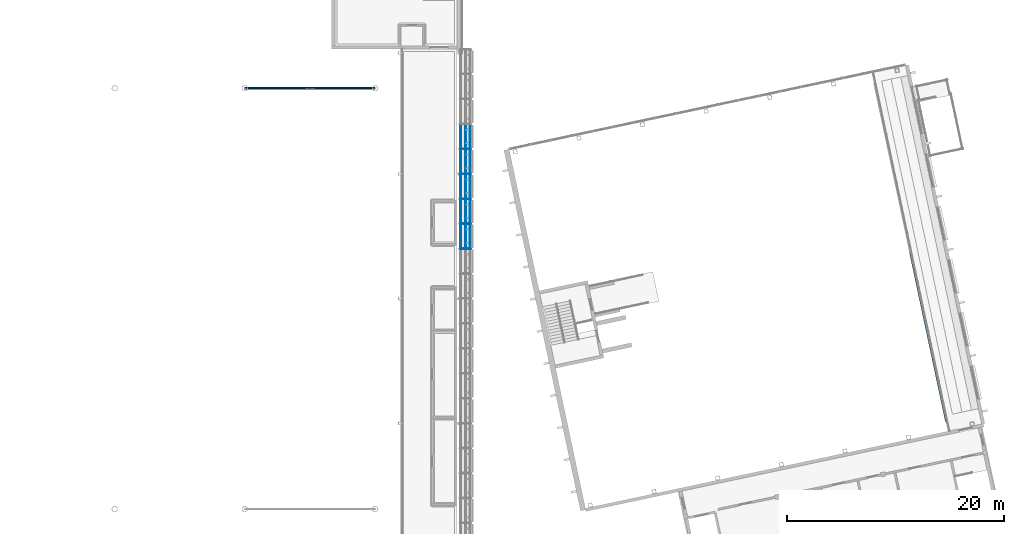
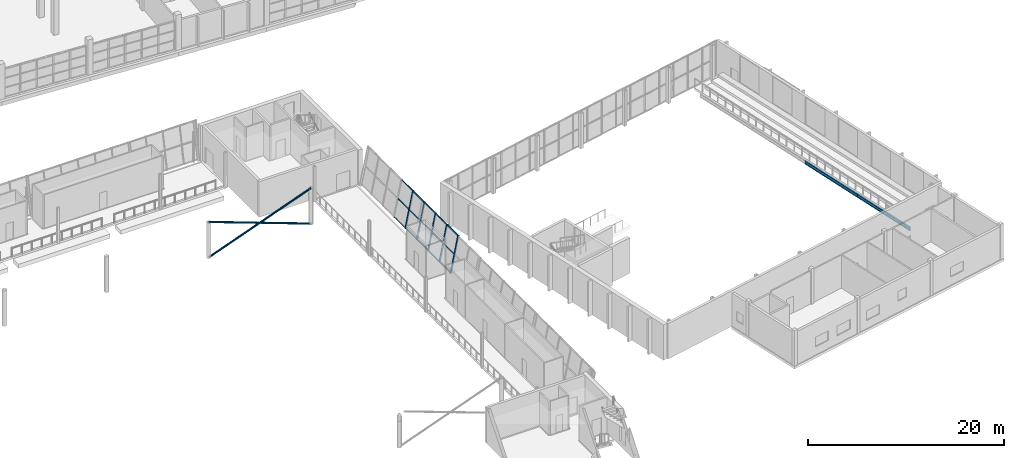
# One storey, part 40 of 115: 23 members, 2 beams, 1 element without a shape of its own.
"""IFC4 building model written with IfcOpenShell, lengths in metres."""

from ifc_helpers import new_model, si_unit, direction, frame, origin, origin_2d, place, context, subcontext, project, spatial, rectangle, hollow_circle, i_section, extrude, material, layer, layer_set, material_profile, profile_set, type_object, element, aggregate, save


model = new_model("IFC4")

# Units and contexts
model_context = context("Model", 3, precision=1e-05, world=origin(), true_north=direction((0.0, 1.0)))
body_context = subcontext(model_context, "Body", "Model", "MODEL_VIEW")
ifc_project = project(units=[si_unit("LENGTHUNIT", "METRE"), si_unit("AREAUNIT", "SQUARE_METRE"), si_unit("VOLUMEUNIT", "CUBIC_METRE"), si_unit("PLANEANGLEUNIT", "RADIAN"), si_unit("MASSUNIT", "GRAM", prefix="KILO")], contexts=[model_context])

# Site, building, storey
site_placement = place(None, origin())
site = spatial("IfcSite", under=ifc_project, at=site_placement, CompositionType="ELEMENT")
building_placement = place(site_placement, origin())
building = spatial("IfcBuilding", under=site, at=building_placement, Name="Windward Yard Aquatics Centre", CompositionType="ELEMENT")
storey_placement = place(building_placement, frame((0.0, 0.0, 5.0)))
storey = spatial("IfcBuildingStorey", under=building, at=storey_placement, Name="L01", CompositionType="ELEMENT", Elevation=5.0)

# Beams
ifc_material_1 = material(Name="Steel ASTM A992 Gr 50", Category="steel")
ifc_material_profile_1 = material_profile(ifc_material_1, i_section(OverallWidth=0.177978515625, OverallDepth=0.406005859375, WebThickness=0.0078125, FlangeThickness=0.0126953125, at=origin_2d()), Name="W410X60")
ifc_profile_set_1 = profile_set([ifc_material_profile_1], Name="Steel ASTM A992 Gr 50")
beam_type = type_object("IfcBeamType", Name="D beam W410X60", PredefinedType="BEAM", material=ifc_profile_set_1)
beam_1_placement = place(storey_placement, frame((196.68359375, 49.614013671875, -0.452880859375), z_axis=(-0.207921900063, 0.978145430636, 0.0), x_axis=(-0.978145430636, -0.207921900063, 0.0)))
element("IfcBeam", 1, at=beam_1_placement, inside=storey, type_object=beam_type, Name="D.B.G1", PredefinedType="BEAM", context=body_context, shape_type="SweptSolid", body=[
    extrude(i_section(OverallWidth=0.177978515625, OverallDepth=0.406005859375, WebThickness=0.0078125, FlangeThickness=0.0126953125, at=origin_2d()), origin(), (0.0, 0.0, 1.0), 7.999755859375),
])
beam_2_placement = place(storey_placement, frame((195.020263671875, 57.43896484375, -0.452880859375), z_axis=(-0.207915693476, 0.978146749934, 0.0), x_axis=(-0.978146749934, -0.207915693476, 0.0)))
element("IfcBeam", 2, at=beam_2_placement, inside=storey, type_object=beam_type, Name="D.B.G2", PredefinedType="BEAM", context=body_context, shape_type="SweptSolid", body=[
    extrude(i_section(OverallWidth=0.177978515625, OverallDepth=0.406005859375, WebThickness=0.0078125, FlangeThickness=0.0126953125, at=origin_2d()), origin(), (0.0, 0.0, 1.0), 8.0),
])

# Curtain wall, members
ifc_material_2 = material(Name="Glass and aluminium curtain wall", Category="aluminium")
ifc_layer = layer(ifc_material_2, 0.179931640625)
ifc_layer_set = layer_set([ifc_layer], Name="H curtain wall tier 1 double glazed 8+16+8")
curtain_wall_type = type_object("IfcCurtainWallType", Name="H curtain wall tier 1 double glazed 8+16+8", PredefinedType="NOTDEFINED", material=ifc_layer_set)
curtain_wall_placement = place(storey_placement, origin())
curtain_wall = element("IfcCurtainWall", 3, at=curtain_wall_placement, inside=storey, type_object=curtain_wall_type, Name="Tier 1 glazing E L01", PredefinedType="NOTDEFINED")
ifc_material_3 = material(Name="Aluminium 6063-T6 anodised", Category="aluminium")
ifc_material_profile_2 = material_profile(ifc_material_3, rectangle(XDim=0.06494140625, YDim=0.179931640625, at=origin_2d()), Name="H CW mullion 65x180")
ifc_profile_set_2 = profile_set([ifc_material_profile_2], Name="Aluminium 6063-T6 anodised")
member_type_1 = type_object("IfcMemberType", Name="H CW mullion 65x180", PredefinedType="MULLION", material=ifc_profile_set_2)
member_1_placement = place(storey_placement, frame((151.911865234375, 65.60009765625, 0.017822265625), z_axis=(0.199380237329, 0.0, 0.979922201485), x_axis=(0.0, 1.0, 0.0)))
member_1 = element("IfcMember", 4, at=member_1_placement, type_object=member_type_1, Name="G1EA mullion 13", PredefinedType="MULLION", context=body_context, shape_type="SweptSolid", body=[
    extrude(rectangle(XDim=0.06494140625, YDim=0.179931640625, at=origin_2d()), origin(), (0.0, 0.0, 1.0), 4.471923828125),
])
member_2_placement = place(storey_placement, frame((151.911865234375, 67.89990234375, 0.017822265625), z_axis=(0.199380237329, 0.0, 0.979922201485), x_axis=(0.0, 1.0, 0.0)))
member_2 = element("IfcMember", 5, at=member_2_placement, type_object=member_type_1, Name="G1EA mullion 14", PredefinedType="MULLION", context=body_context, shape_type="SweptSolid", body=[
    extrude(rectangle(XDim=0.06494140625, YDim=0.179931640625, at=origin_2d()), origin(), (0.0, 0.0, 1.0), 4.471923828125),
])
member_3_placement = place(storey_placement, frame((151.911865234375, 70.199951171875, 0.017822265625), z_axis=(0.199380237329, 0.0, 0.979922201485), x_axis=(0.0, 1.0, 0.0)))
member_3 = element("IfcMember", 6, at=member_3_placement, type_object=member_type_1, Name="G1EA mullion 15", PredefinedType="MULLION", context=body_context, shape_type="SweptSolid", body=[
    extrude(rectangle(XDim=0.06494140625, YDim=0.179931640625, at=origin_2d()), origin(), (0.0, 0.0, 1.0), 4.471923828125),
])
member_4_placement = place(storey_placement, frame((151.911865234375, 72.5, 0.017822265625), z_axis=(0.199380237329, 0.0, 0.979922201485), x_axis=(0.0, 1.0, 0.0)))
member_4 = element("IfcMember", 7, at=member_4_placement, type_object=member_type_1, Name="G1EA mullion 16", PredefinedType="MULLION", context=body_context, shape_type="SweptSolid", body=[
    extrude(rectangle(XDim=0.06494140625, YDim=0.179931640625, at=origin_2d()), origin(), (0.0, 0.0, 1.0), 4.471923828125),
])
member_5_placement = place(storey_placement, frame((151.911865234375, 74.800048828125, 0.017822265625), z_axis=(0.199380237329, 0.0, 0.979922201485), x_axis=(0.0, 1.0, 0.0)))
member_5 = element("IfcMember", 8, at=member_5_placement, type_object=member_type_1, Name="G1EA mullion 17", PredefinedType="MULLION", context=body_context, shape_type="SweptSolid", body=[
    extrude(rectangle(XDim=0.06494140625, YDim=0.179931640625, at=origin_2d()), origin(), (0.0, 0.0, 1.0), 4.471923828125),
])
ifc_material_profile_3 = material_profile(ifc_material_3, rectangle(XDim=0.06494140625, YDim=0.10009765625, at=origin_2d()), Name="H CW transom 65x100")
ifc_profile_set_3 = profile_set([ifc_material_profile_3], Name="Aluminium 6063-T6 anodised")
member_type_2 = type_object("IfcMemberType", Name="H CW transom 65x100", PredefinedType="USERDEFINED", material=ifc_profile_set_3)
member_6_placement = place(storey_placement, frame((151.91943359375, 65.632568359375, 0.055419921875), z_axis=(0.0, 1.0, 0.0), x_axis=(-0.979924704642, 0.0, 0.199367934315)))
member_6 = element("IfcMember", 9, at=member_6_placement, type_object=member_type_2, Name="G1EA transom 13.1", ObjectType="TRANSOM", PredefinedType="USERDEFINED", context=body_context, shape_type="SweptSolid", body=[
    extrude(rectangle(XDim=0.06494140625, YDim=0.10009765625, at=origin_2d()), origin(), (0.0, 0.0, 1.0), 2.23486328125),
])
member_7_placement = place(storey_placement, frame((152.355712890625, 65.632568359375, 2.199951171875), z_axis=(0.0, 1.0, 0.0), x_axis=(-0.979924704642, 0.0, 0.199367934315)))
member_7 = element("IfcMember", 10, at=member_7_placement, type_object=member_type_2, Name="G1EA transom 13.2", ObjectType="TRANSOM", PredefinedType="USERDEFINED", context=body_context, shape_type="SweptSolid", body=[
    extrude(rectangle(XDim=0.06494140625, YDim=0.10009765625, at=origin_2d()), origin(), (0.0, 0.0, 1.0), 2.23486328125),
])
member_8_placement = place(storey_placement, frame((152.79345703125, 65.632568359375, 4.35107421875), z_axis=(0.0, 1.0, 0.0), x_axis=(-0.979924704642, 0.0, 0.199367934315)))
member_8 = element("IfcMember", 11, at=member_8_placement, type_object=member_type_2, Name="G1EA transom 13.3", ObjectType="TRANSOM", PredefinedType="USERDEFINED", context=body_context, shape_type="SweptSolid", body=[
    extrude(rectangle(XDim=0.06494140625, YDim=0.10009765625, at=origin_2d()), origin(), (0.0, 0.0, 1.0), 2.23486328125),
])
member_9_placement = place(storey_placement, frame((151.91943359375, 67.9326171875, 0.055419921875), z_axis=(0.0, 1.0, 0.0), x_axis=(-0.979924704642, 0.0, 0.199367934315)))
member_9 = element("IfcMember", 12, at=member_9_placement, type_object=member_type_2, Name="G1EA transom 14.1", ObjectType="TRANSOM", PredefinedType="USERDEFINED", context=body_context, shape_type="SweptSolid", body=[
    extrude(rectangle(XDim=0.06494140625, YDim=0.10009765625, at=origin_2d()), origin(), (0.0, 0.0, 1.0), 2.23486328125),
])
member_10_placement = place(storey_placement, frame((152.355712890625, 67.9326171875, 2.199951171875), z_axis=(0.0, 1.0, 0.0), x_axis=(-0.979924704642, 0.0, 0.199367934315)))
member_10 = element("IfcMember", 13, at=member_10_placement, type_object=member_type_2, Name="G1EA transom 14.2", ObjectType="TRANSOM", PredefinedType="USERDEFINED", context=body_context, shape_type="SweptSolid", body=[
    extrude(rectangle(XDim=0.06494140625, YDim=0.10009765625, at=origin_2d()), origin(), (0.0, 0.0, 1.0), 2.23486328125),
])
member_11_placement = place(storey_placement, frame((152.79345703125, 67.9326171875, 4.35107421875), z_axis=(0.0, 1.0, 0.0), x_axis=(-0.979924704642, 0.0, 0.199367934315)))
member_11 = element("IfcMember", 14, at=member_11_placement, type_object=member_type_2, Name="G1EA transom 14.3", ObjectType="TRANSOM", PredefinedType="USERDEFINED", context=body_context, shape_type="SweptSolid", body=[
    extrude(rectangle(XDim=0.06494140625, YDim=0.10009765625, at=origin_2d()), origin(), (0.0, 0.0, 1.0), 2.23486328125),
])
member_12_placement = place(storey_placement, frame((151.91943359375, 70.232421875, 0.055419921875), z_axis=(0.0, 1.0, 0.0), x_axis=(-0.979924704642, 0.0, 0.199367934315)))
member_12 = element("IfcMember", 15, at=member_12_placement, type_object=member_type_2, Name="G1EA transom 15.1", ObjectType="TRANSOM", PredefinedType="USERDEFINED", context=body_context, shape_type="SweptSolid", body=[
    extrude(rectangle(XDim=0.06494140625, YDim=0.10009765625, at=origin_2d()), origin(), (0.0, 0.0, 1.0), 2.235107421875),
])
member_13_placement = place(storey_placement, frame((152.355712890625, 70.232421875, 2.199951171875), z_axis=(0.0, 1.0, 0.0), x_axis=(-0.979924704642, 0.0, 0.199367934315)))
member_13 = element("IfcMember", 16, at=member_13_placement, type_object=member_type_2, Name="G1EA transom 15.2", ObjectType="TRANSOM", PredefinedType="USERDEFINED", context=body_context, shape_type="SweptSolid", body=[
    extrude(rectangle(XDim=0.06494140625, YDim=0.10009765625, at=origin_2d()), origin(), (0.0, 0.0, 1.0), 2.235107421875),
])
member_14_placement = place(storey_placement, frame((152.79345703125, 70.232421875, 4.35107421875), z_axis=(0.0, 1.0, 0.0), x_axis=(-0.979924704642, 0.0, 0.199367934315)))
member_14 = element("IfcMember", 17, at=member_14_placement, type_object=member_type_2, Name="G1EA transom 15.3", ObjectType="TRANSOM", PredefinedType="USERDEFINED", context=body_context, shape_type="SweptSolid", body=[
    extrude(rectangle(XDim=0.06494140625, YDim=0.10009765625, at=origin_2d()), origin(), (0.0, 0.0, 1.0), 2.235107421875),
])
member_15_placement = place(storey_placement, frame((151.91943359375, 72.532470703125, 0.055419921875), z_axis=(0.0, 1.0, 0.0), x_axis=(-0.979924704642, 0.0, 0.199367934315)))
member_15 = element("IfcMember", 18, at=member_15_placement, type_object=member_type_2, Name="G1EA transom 16.1", ObjectType="TRANSOM", PredefinedType="USERDEFINED", context=body_context, shape_type="SweptSolid", body=[
    extrude(rectangle(XDim=0.06494140625, YDim=0.10009765625, at=origin_2d()), origin(), (0.0, 0.0, 1.0), 2.235107421875),
])
member_16_placement = place(storey_placement, frame((152.355712890625, 72.532470703125, 2.199951171875), z_axis=(0.0, 1.0, 0.0), x_axis=(-0.979924704642, 0.0, 0.199367934315)))
member_16 = element("IfcMember", 19, at=member_16_placement, type_object=member_type_2, Name="G1EA transom 16.2", ObjectType="TRANSOM", PredefinedType="USERDEFINED", context=body_context, shape_type="SweptSolid", body=[
    extrude(rectangle(XDim=0.06494140625, YDim=0.10009765625, at=origin_2d()), origin(), (0.0, 0.0, 1.0), 2.235107421875),
])
member_17_placement = place(storey_placement, frame((152.79345703125, 72.532470703125, 4.35107421875), z_axis=(0.0, 1.0, 0.0), x_axis=(-0.979924704642, 0.0, 0.199367934315)))
member_17 = element("IfcMember", 20, at=member_17_placement, type_object=member_type_2, Name="G1EA transom 16.3", ObjectType="TRANSOM", PredefinedType="USERDEFINED", context=body_context, shape_type="SweptSolid", body=[
    extrude(rectangle(XDim=0.06494140625, YDim=0.10009765625, at=origin_2d()), origin(), (0.0, 0.0, 1.0), 2.235107421875),
])
member_18_placement = place(storey_placement, frame((151.91943359375, 74.83251953125, 0.055419921875), z_axis=(0.0, 1.0, 0.0), x_axis=(-0.979924704642, 0.0, 0.199367934315)))
member_18 = element("IfcMember", 21, at=member_18_placement, type_object=member_type_2, Name="G1EA transom 17.1", ObjectType="TRANSOM", PredefinedType="USERDEFINED", context=body_context, shape_type="SweptSolid", body=[
    extrude(rectangle(XDim=0.06494140625, YDim=0.10009765625, at=origin_2d()), origin(), (0.0, 0.0, 1.0), 2.23486328125),
])
member_19_placement = place(storey_placement, frame((152.355712890625, 74.83251953125, 2.199951171875), z_axis=(0.0, 1.0, 0.0), x_axis=(-0.979924704642, 0.0, 0.199367934315)))
member_19 = element("IfcMember", 22, at=member_19_placement, type_object=member_type_2, Name="G1EA transom 17.2", ObjectType="TRANSOM", PredefinedType="USERDEFINED", context=body_context, shape_type="SweptSolid", body=[
    extrude(rectangle(XDim=0.06494140625, YDim=0.10009765625, at=origin_2d()), origin(), (0.0, 0.0, 1.0), 2.23486328125),
])
member_20_placement = place(storey_placement, frame((152.79345703125, 74.83251953125, 4.35107421875), z_axis=(0.0, 1.0, 0.0), x_axis=(-0.979924704642, 0.0, 0.199367934315)))
member_20 = element("IfcMember", 23, at=member_20_placement, type_object=member_type_2, Name="G1EA transom 17.3", ObjectType="TRANSOM", PredefinedType="USERDEFINED", context=body_context, shape_type="SweptSolid", body=[
    extrude(rectangle(XDim=0.06494140625, YDim=0.10009765625, at=origin_2d()), origin(), (0.0, 0.0, 1.0), 2.23486328125),
])
aggregate(curtain_wall, [member_1, member_2, member_3, member_4, member_5, member_6, member_7, member_8, member_9, member_10, member_11, member_12, member_13, member_14, member_15, member_16, member_17, member_18, member_19, member_20])

# Members
ifc_material_4 = material(Name="Steel ASTM A500 Gr C", Category="steel")
ifc_material_profile_4 = material_profile(ifc_material_4, hollow_circle(Radius=0.109619140625, WallThickness=0.0126953125, at=origin_2d()), Name="HSS219.1X12.7")
ifc_profile_set_4 = profile_set([ifc_material_profile_4], Name="Steel ASTM A500 Gr C")
member_type_3 = type_object("IfcMemberType", Name="H column brace HSS219.1X12.7", PredefinedType="BRACE", material=ifc_profile_set_4)
member_21_placement = place(storey_placement, frame((132.0, 80.39990234375, 0.0), z_axis=(0.938878785405, 0.0, 0.344247914033), x_axis=(0.0, 1.0, 0.0)))
element("IfcMember", 24, at=member_21_placement, inside=storey, type_object=member_type_3, Name="H.VB.N7.L01.A", PredefinedType="BRACE", context=body_context, shape_type="SweptSolid", body=[
    extrude(hollow_circle(Radius=0.109619140625, WallThickness=0.0126953125, at=origin_2d()), origin(), (0.0, 0.0, 1.0), 12.78125),
])
for number, where, z_axis, x_axis, name in (
    (25, (132.0, 80.39990234375, 4.39990234375), (0.938880951774, 0.0, -0.344242005567), (0.0, 1.0, 0.0), "H.VB.N7.L01.B1"),
    (26, (138.140380859375, 80.39990234375, 2.1484375), (0.938880951774, 0.0, -0.344242005567), (0.0, 1.0, 0.0), "H.VB.N7.L01.B2"),
):
    element("IfcMember", number, at=place(storey_placement, frame(where, z_axis=z_axis, x_axis=x_axis)), inside=storey, type_object=member_type_3, Name=name, PredefinedType="BRACE", context=body_context, shape_type="SweptSolid", body=[
        extrude(hollow_circle(Radius=0.109619140625, WallThickness=0.0126953125, at=origin_2d()), origin(), (0.0, 0.0, 1.0), 6.240966796875),
    ])

save(model, "model.ifc")
